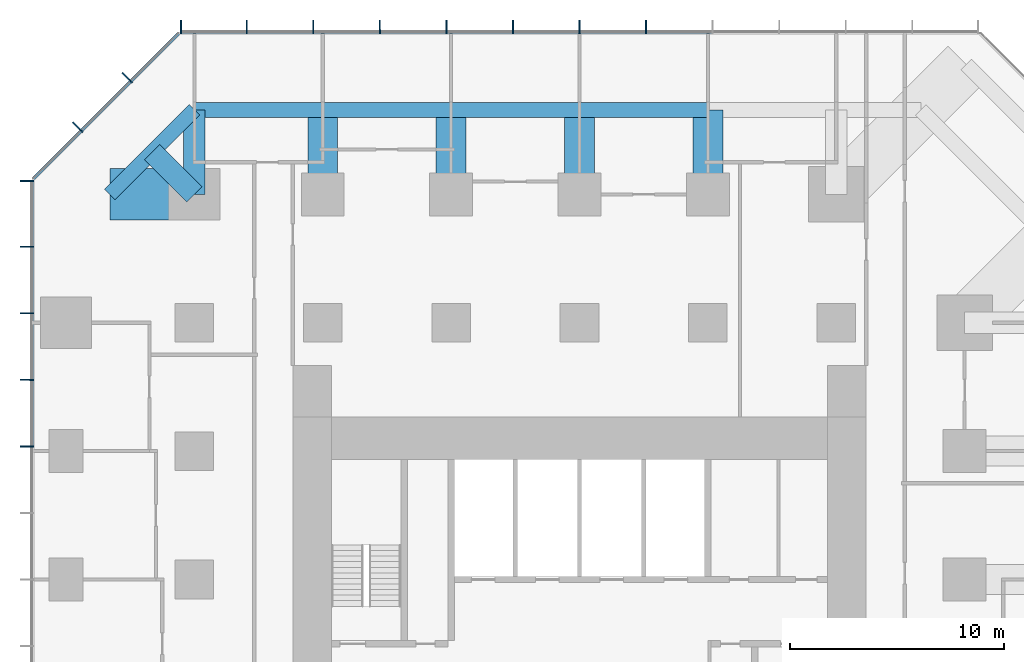
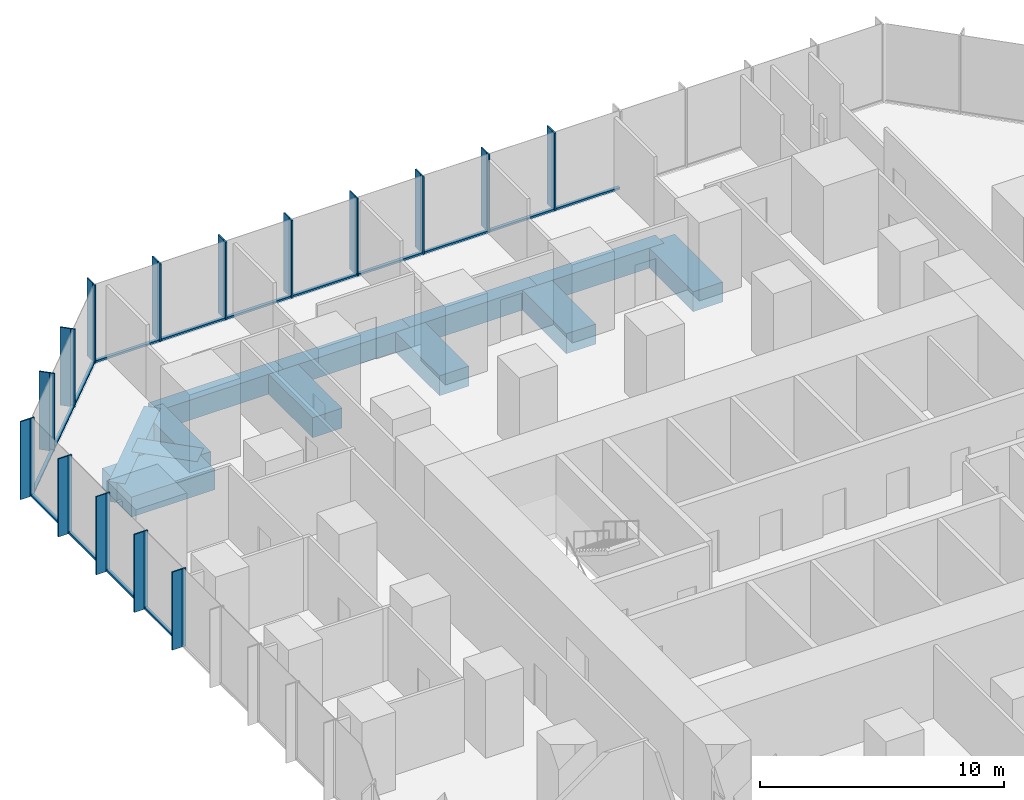
# One storey, part 5 of 12: 45 members, 12 beams, 3 elements without a shape of their own.
"""IFC4 building model written with IfcOpenShell, lengths in metres."""

from ifc_helpers import new_model, si_unit, direction, frame, origin, origin_2d, place, context, subcontext, project, spatial, rectangle, extrude, material, layer, layer_set, material_profile, profile_set, type_object, element, aggregate, save


model = new_model("IFC4")

# Units and contexts
model_context = context("Model", 3, precision=1e-05, world=origin(), true_north=direction((0.0, 1.0)))
body_context = subcontext(model_context, "Body", "Model", "MODEL_VIEW")
ifc_project = project(units=[si_unit("LENGTHUNIT", "METRE"), si_unit("AREAUNIT", "SQUARE_METRE"), si_unit("VOLUMEUNIT", "CUBIC_METRE"), si_unit("PLANEANGLEUNIT", "RADIAN"), si_unit("MASSUNIT", "GRAM", prefix="KILO")], contexts=[model_context])

# Site, building, storey
site_placement = place(None, origin())
site = spatial("IfcSite", under=ifc_project, at=site_placement, CompositionType="ELEMENT")
building_placement = place(site_placement, origin())
building = spatial("IfcBuilding", under=site, at=building_placement, Name="Highveld Stack Headquarters", CompositionType="ELEMENT")
storey_placement = place(building_placement, frame((0.0, 0.0, 80.60009765625)))
storey = spatial("IfcBuildingStorey", under=building, at=storey_placement, Name="L19", CompositionType="ELEMENT", Elevation=80.60009765625)

# Beams
ifc_material_1 = material(Name="Concrete C60/75", Category="concrete")
ifc_material_profile_1 = material_profile(ifc_material_1, rectangle(XDim=1.0, YDim=1.0, at=origin_2d()), Name="RC 1000x1000")
ifc_profile_set_1 = profile_set([ifc_material_profile_1], Name="Concrete C60/75")
beam_type_1 = type_object("IfcBeamType", Name="CANTILEVER RIB RC 1000x1000", PredefinedType="USERDEFINED", material=ifc_profile_set_1)
beam_1_placement = place(storey_placement, frame((-12.0, 24.0, -0.75), z_axis=(0.0, 1.0, 0.0), x_axis=(-1.0, 0.0, 0.0)))
element("IfcBeam", 1, at=beam_1_placement, inside=storey, type_object=beam_type_1, Name="Cantilever rib 4/J L19", ObjectType="CANTILEVER RIB", PredefinedType="USERDEFINED", context=body_context, shape_type="SweptSolid", body=[
    extrude(rectangle(XDim=1.0, YDim=1.0, at=origin_2d()), origin(), (0.0, 0.0, 1.0), 3.949951171875),
])
beam_2_placement = place(storey_placement, frame((-12.0, 24.0, -0.75), z_axis=(-0.707106781187, 0.707106781187, 0.0), x_axis=(-0.707106781187, -0.707106781187, 0.0)))
element("IfcBeam", 2, at=beam_2_placement, inside=storey, type_object=beam_type_1, Name="Cantilever rib 4/J L19", ObjectType="CANTILEVER RIB", PredefinedType="USERDEFINED", context=body_context, shape_type="SweptSolid", body=[
    extrude(rectangle(XDim=1.0, YDim=1.0, at=origin_2d()), origin(), (0.0, 0.0, 1.0), 2.793212890625),
])
ifc_material_2 = material(Name="Concrete C60/75", Category="concrete")
ifc_material_profile_2 = material_profile(ifc_material_2, rectangle(XDim=1.39990234375, YDim=1.0, at=origin_2d()), Name="RC 1400x1000")
ifc_profile_set_2 = profile_set([ifc_material_profile_2], Name="Concrete C60/75")
beam_type_2 = type_object("IfcBeamType", Name="CANTILEVER RIB RC 1400x1000", PredefinedType="USERDEFINED", material=ifc_profile_set_2)
for number, where, z_axis, x_axis, name in (
    (3, (-6.0, 24.0, -0.75), (0.0, 1.0, 0.0), (-1.0, 0.0, 0.0), "Cantilever rib 5/J L19"),
    (4, (0.0, 24.0, -0.75), (0.0, 1.0, 0.0), (-1.0, 0.0, 0.0), "Cantilever rib 6/J L19"),
    (5, (6.0, 24.0, -0.75), (0.0, 1.0, 0.0), (-1.0, 0.0, 0.0), "Cantilever rib 7/J L19"),
    (6, (12.0, 24.0, -0.75), (0.0, 1.0, 0.0), (-1.0, 0.0, 0.0), "Cantilever rib 8/J L19"),
):
    element("IfcBeam", number, at=place(storey_placement, frame(where, z_axis=z_axis, x_axis=x_axis)), inside=storey, type_object=beam_type_2, Name=name, ObjectType="CANTILEVER RIB", PredefinedType="USERDEFINED", context=body_context, shape_type="SweptSolid", body=[
        extrude(rectangle(XDim=1.39990234375, YDim=1.0, at=origin_2d()), origin(), (0.0, 0.0, 1.0), 3.949951171875),
    ])
ifc_material_3 = material(Name="Concrete C60/75", Category="concrete")
ifc_material_profile_3 = material_profile(ifc_material_3, rectangle(XDim=2.39990234375, YDim=1.0, at=origin_2d()), Name="RC 2400x1000")
ifc_profile_set_3 = profile_set([ifc_material_profile_3], Name="Concrete C60/75")
beam_type_3 = type_object("IfcBeamType", Name="CANTILEVER RIB RC 2400x1000", PredefinedType="USERDEFINED", material=ifc_profile_set_3)
beam_3_placement = place(storey_placement, frame((-12.0, 24.0, -0.75), z_axis=(-1.0, 0.0, 0.0), x_axis=(0.0, -1.0, 0.0)))
element("IfcBeam", 7, at=beam_3_placement, inside=storey, type_object=beam_type_3, Name="Cantilever rib 4/J L19", ObjectType="CANTILEVER RIB", PredefinedType="USERDEFINED", context=body_context, shape_type="SweptSolid", body=[
    extrude(rectangle(XDim=2.39990234375, YDim=1.0, at=origin_2d()), origin(), (0.0, 0.0, 1.0), 3.949951171875),
])

# Curtain wall, members
ifc_material_4 = material(Name="Aluminium bronze anodised", Category="aluminium")
ifc_layer_1 = layer(ifc_material_4, 0.199951171875)
ifc_layer_set_1 = layer_set([ifc_layer_1], Name="Aluminium bronze anodised")
curtain_wall_type_1 = type_object("IfcCurtainWallType", Name="CW1 TOWER UNITISED CURTAIN WALL", PredefinedType="NOTDEFINED", material=ifc_layer_set_1)
curtain_wall_1_placement = place(storey_placement, origin())
curtain_wall_1 = element("IfcCurtainWall", 8, at=curtain_wall_1_placement, inside=storey, type_object=curtain_wall_type_1, Name="Curtain wall CW1 L19 N", PredefinedType="NOTDEFINED")
ifc_material_5 = material(Name="Aluminium bronze anodised", Category="aluminium")
ifc_material_profile_4 = material_profile(ifc_material_5, rectangle(XDim=0.449951171875, YDim=0.06005859375, at=origin_2d()), Name="FIN 450x60")
ifc_profile_set_4 = profile_set([ifc_material_profile_4], Name="Aluminium bronze anodised")
member_type_1 = type_object("IfcMemberType", Name="CW1 BRONZE FIN 450x60", PredefinedType="USERDEFINED", material=ifc_profile_set_4)
member_1_placement = place(storey_placement, frame((9.110595703125, 31.925048828125, 0.0), z_axis=(0.0, 0.0, 1.0), x_axis=(0.0, -1.0, 0.0)))
member_1 = element("IfcMember", 9, at=member_1_placement, type_object=member_type_1, Name="CW1 fin L19 6", ObjectType="FIN", PredefinedType="USERDEFINED", context=body_context, shape_type="SweptSolid", body=[
    extrude(rectangle(XDim=0.449951171875, YDim=0.06005859375, at=origin_2d()), origin(), (0.0, 0.0, 1.0), 3.89990234375),
])
member_2_placement = place(storey_placement, frame((6.0, 31.925048828125, 0.0), z_axis=(0.0, 0.0, 1.0), x_axis=(0.0, -1.0, 0.0)))
member_2 = element("IfcMember", 10, at=member_2_placement, type_object=member_type_1, Name="CW1 fin L19 7", ObjectType="FIN", PredefinedType="USERDEFINED", context=body_context, shape_type="SweptSolid", body=[
    extrude(rectangle(XDim=0.449951171875, YDim=0.06005859375, at=origin_2d()), origin(), (0.0, 0.0, 1.0), 3.89990234375),
])
member_3_placement = place(storey_placement, frame((2.889404296875, 31.925048828125, 0.0), z_axis=(0.0, 0.0, 1.0), x_axis=(0.0, -1.0, 0.0)))
member_3 = element("IfcMember", 11, at=member_3_placement, type_object=member_type_1, Name="CW1 fin L19 8", ObjectType="FIN", PredefinedType="USERDEFINED", context=body_context, shape_type="SweptSolid", body=[
    extrude(rectangle(XDim=0.449951171875, YDim=0.06005859375, at=origin_2d()), origin(), (0.0, 0.0, 1.0), 3.89990234375),
])
member_4_placement = place(storey_placement, frame((-0.220947265625, 31.925048828125, 0.0), z_axis=(0.0, 0.0, 1.0), x_axis=(0.0, -1.0, 0.0)))
member_4 = element("IfcMember", 12, at=member_4_placement, type_object=member_type_1, Name="CW1 fin L19 9", ObjectType="FIN", PredefinedType="USERDEFINED", context=body_context, shape_type="SweptSolid", body=[
    extrude(rectangle(XDim=0.449951171875, YDim=0.06005859375, at=origin_2d()), origin(), (0.0, 0.0, 1.0), 3.89990234375),
])
member_5_placement = place(storey_placement, frame((-3.331298828125, 31.925048828125, 0.0), z_axis=(0.0, 0.0, 1.0), x_axis=(0.0, -1.0, 0.0)))
member_5 = element("IfcMember", 13, at=member_5_placement, type_object=member_type_1, Name="CW1 fin L19 10", ObjectType="FIN", PredefinedType="USERDEFINED", context=body_context, shape_type="SweptSolid", body=[
    extrude(rectangle(XDim=0.449951171875, YDim=0.06005859375, at=origin_2d()), origin(), (0.0, 0.0, 1.0), 3.89990234375),
])
member_6_placement = place(storey_placement, frame((-6.44189453125, 31.925048828125, 0.0), z_axis=(0.0, 0.0, 1.0), x_axis=(0.0, -1.0, 0.0)))
member_6 = element("IfcMember", 14, at=member_6_placement, type_object=member_type_1, Name="CW1 fin L19 11", ObjectType="FIN", PredefinedType="USERDEFINED", context=body_context, shape_type="SweptSolid", body=[
    extrude(rectangle(XDim=0.449951171875, YDim=0.06005859375, at=origin_2d()), origin(), (0.0, 0.0, 1.0), 3.89990234375),
])
member_7_placement = place(storey_placement, frame((-9.55224609375, 31.925048828125, 0.0), z_axis=(0.0, 0.0, 1.0), x_axis=(0.0, -1.0, 0.0)))
member_7 = element("IfcMember", 15, at=member_7_placement, type_object=member_type_1, Name="CW1 fin L19 12", ObjectType="FIN", PredefinedType="USERDEFINED", context=body_context, shape_type="SweptSolid", body=[
    extrude(rectangle(XDim=0.449951171875, YDim=0.06005859375, at=origin_2d()), origin(), (0.0, 0.0, 1.0), 3.89990234375),
])
member_8_placement = place(storey_placement, frame((-12.630126953125, 31.925048828125, 0.0), z_axis=(0.0, 0.0, 1.0), x_axis=(0.0, -1.0, 0.0)))
member_8 = element("IfcMember", 16, at=member_8_placement, type_object=member_type_1, Name="CW1 fin L19 13", ObjectType="FIN", PredefinedType="USERDEFINED", context=body_context, shape_type="SweptSolid", body=[
    extrude(rectangle(XDim=0.449951171875, YDim=0.06005859375, at=origin_2d()), origin(), (0.0, 0.0, 1.0), 3.89990234375),
])

curtain_wall_2_placement = place(storey_placement, origin())
curtain_wall_2 = element("IfcCurtainWall", 17, at=curtain_wall_2_placement, inside=storey, type_object=curtain_wall_type_1, Name="Curtain wall CW1 L19 W", PredefinedType="NOTDEFINED")
member_9_placement = place(storey_placement, frame((-19.925048828125, 24.630126953125, 0.0), z_axis=(0.0, 0.0, 1.0), x_axis=(1.0, 0.0, 0.0)))
member_9 = element("IfcMember", 18, at=member_9_placement, type_object=member_type_1, Name="CW1 fin L19 1", ObjectType="FIN", PredefinedType="USERDEFINED", context=body_context, shape_type="SweptSolid", body=[
    extrude(rectangle(XDim=0.449951171875, YDim=0.06005859375, at=origin_2d()), origin(), (0.0, 0.0, 1.0), 3.89990234375),
])
member_10_placement = place(storey_placement, frame((-19.925048828125, 21.55224609375, 0.0), z_axis=(0.0, 0.0, 1.0), x_axis=(1.0, 0.0, 0.0)))
member_10 = element("IfcMember", 19, at=member_10_placement, type_object=member_type_1, Name="CW1 fin L19 2", ObjectType="FIN", PredefinedType="USERDEFINED", context=body_context, shape_type="SweptSolid", body=[
    extrude(rectangle(XDim=0.449951171875, YDim=0.06005859375, at=origin_2d()), origin(), (0.0, 0.0, 1.0), 3.89990234375),
])
member_11_placement = place(storey_placement, frame((-19.925048828125, 18.44189453125, 0.0), z_axis=(0.0, 0.0, 1.0), x_axis=(1.0, 0.0, 0.0)))
member_11 = element("IfcMember", 20, at=member_11_placement, type_object=member_type_1, Name="CW1 fin L19 3", ObjectType="FIN", PredefinedType="USERDEFINED", context=body_context, shape_type="SweptSolid", body=[
    extrude(rectangle(XDim=0.449951171875, YDim=0.06005859375, at=origin_2d()), origin(), (0.0, 0.0, 1.0), 3.89990234375),
])
member_12_placement = place(storey_placement, frame((-19.925048828125, 15.331298828125, 0.0), z_axis=(0.0, 0.0, 1.0), x_axis=(1.0, 0.0, 0.0)))
member_12 = element("IfcMember", 21, at=member_12_placement, type_object=member_type_1, Name="CW1 fin L19 4", ObjectType="FIN", PredefinedType="USERDEFINED", context=body_context, shape_type="SweptSolid", body=[
    extrude(rectangle(XDim=0.449951171875, YDim=0.06005859375, at=origin_2d()), origin(), (0.0, 0.0, 1.0), 3.89990234375),
])
member_13_placement = place(storey_placement, frame((-19.925048828125, 12.220947265625, 0.0), z_axis=(0.0, 0.0, 1.0), x_axis=(1.0, 0.0, 0.0)))
member_13 = element("IfcMember", 22, at=member_13_placement, type_object=member_type_1, Name="CW1 fin L19 5", ObjectType="FIN", PredefinedType="USERDEFINED", context=body_context, shape_type="SweptSolid", body=[
    extrude(rectangle(XDim=0.449951171875, YDim=0.06005859375, at=origin_2d()), origin(), (0.0, 0.0, 1.0), 3.89990234375),
])

# Member
ifc_material_6 = material(Name="Aluminium bronze anodised", Category="aluminium")
ifc_material_profile_5 = material_profile(ifc_material_6, rectangle(XDim=0.199951171875, YDim=0.06494140625, at=origin_2d()), Name="CW1 MULLION 65x200")
ifc_profile_set_5 = profile_set([ifc_material_profile_5], Name="Aluminium bronze anodised")
member_type_2 = type_object("IfcMemberType", Name="CW1 MULLION 65x200", PredefinedType="MULLION", material=ifc_profile_set_5)
member_14_placement = place(storey_placement, frame((9.110595703125, 31.60009765625, 0.0), z_axis=(0.0, 0.0, 1.0), x_axis=(0.0, -1.0, 0.0)))
member_14 = element("IfcMember", 23, at=member_14_placement, type_object=member_type_2, Name="CW1 mullion L19 6", PredefinedType="MULLION", context=body_context, shape_type="SweptSolid", body=[
    extrude(rectangle(XDim=0.199951171875, YDim=0.06494140625, at=origin_2d()), origin(), (0.0, 0.0, 1.0), 3.89990234375),
])

member_15_placement = place(storey_placement, frame((6.0, 31.60009765625, 0.0), z_axis=(0.0, 0.0, 1.0), x_axis=(0.0, -1.0, 0.0)))
member_15 = element("IfcMember", 24, at=member_15_placement, type_object=member_type_2, Name="CW1 mullion L19 7", PredefinedType="MULLION", context=body_context, shape_type="SweptSolid", body=[
    extrude(rectangle(XDim=0.199951171875, YDim=0.06494140625, at=origin_2d()), origin(), (0.0, 0.0, 1.0), 3.89990234375),
])

member_16_placement = place(storey_placement, frame((2.889404296875, 31.60009765625, 0.0), z_axis=(0.0, 0.0, 1.0), x_axis=(0.0, -1.0, 0.0)))
member_16 = element("IfcMember", 25, at=member_16_placement, type_object=member_type_2, Name="CW1 mullion L19 8", PredefinedType="MULLION", context=body_context, shape_type="SweptSolid", body=[
    extrude(rectangle(XDim=0.199951171875, YDim=0.06494140625, at=origin_2d()), origin(), (0.0, 0.0, 1.0), 3.89990234375),
])

member_17_placement = place(storey_placement, frame((-0.220947265625, 31.60009765625, 0.0), z_axis=(0.0, 0.0, 1.0), x_axis=(0.0, -1.0, 0.0)))
member_17 = element("IfcMember", 26, at=member_17_placement, type_object=member_type_2, Name="CW1 mullion L19 9", PredefinedType="MULLION", context=body_context, shape_type="SweptSolid", body=[
    extrude(rectangle(XDim=0.199951171875, YDim=0.06494140625, at=origin_2d()), origin(), (0.0, 0.0, 1.0), 3.89990234375),
])

member_18_placement = place(storey_placement, frame((-3.331298828125, 31.60009765625, 0.0), z_axis=(0.0, 0.0, 1.0), x_axis=(0.0, -1.0, 0.0)))
member_18 = element("IfcMember", 27, at=member_18_placement, type_object=member_type_2, Name="CW1 mullion L19 10", PredefinedType="MULLION", context=body_context, shape_type="SweptSolid", body=[
    extrude(rectangle(XDim=0.199951171875, YDim=0.06494140625, at=origin_2d()), origin(), (0.0, 0.0, 1.0), 3.89990234375),
])

member_19_placement = place(storey_placement, frame((-6.44189453125, 31.60009765625, 0.0), z_axis=(0.0, 0.0, 1.0), x_axis=(0.0, -1.0, 0.0)))
member_19 = element("IfcMember", 28, at=member_19_placement, type_object=member_type_2, Name="CW1 mullion L19 11", PredefinedType="MULLION", context=body_context, shape_type="SweptSolid", body=[
    extrude(rectangle(XDim=0.199951171875, YDim=0.06494140625, at=origin_2d()), origin(), (0.0, 0.0, 1.0), 3.89990234375),
])

member_20_placement = place(storey_placement, frame((-9.55224609375, 31.60009765625, 0.0), z_axis=(0.0, 0.0, 1.0), x_axis=(0.0, -1.0, 0.0)))
member_20 = element("IfcMember", 29, at=member_20_placement, type_object=member_type_2, Name="CW1 mullion L19 12", PredefinedType="MULLION", context=body_context, shape_type="SweptSolid", body=[
    extrude(rectangle(XDim=0.199951171875, YDim=0.06494140625, at=origin_2d()), origin(), (0.0, 0.0, 1.0), 3.89990234375),
])

member_21_placement = place(storey_placement, frame((-12.630126953125, 31.60009765625, 0.0), z_axis=(0.0, 0.0, 1.0), x_axis=(0.0, -1.0, 0.0)))
member_21 = element("IfcMember", 30, at=member_21_placement, type_object=member_type_2, Name="CW1 mullion L19 13", PredefinedType="MULLION", context=body_context, shape_type="SweptSolid", body=[
    extrude(rectangle(XDim=0.199951171875, YDim=0.06494140625, at=origin_2d()), origin(), (0.0, 0.0, 1.0), 3.89990234375),
])

member_22_placement = place(storey_placement, frame((-19.60009765625, 24.630126953125, 0.0), z_axis=(0.0, 0.0, 1.0), x_axis=(1.0, 0.0, 0.0)))
member_22 = element("IfcMember", 31, at=member_22_placement, type_object=member_type_2, Name="CW1 mullion L19 1", PredefinedType="MULLION", context=body_context, shape_type="SweptSolid", body=[
    extrude(rectangle(XDim=0.199951171875, YDim=0.06494140625, at=origin_2d()), origin(), (0.0, 0.0, 1.0), 3.89990234375),
])

member_23_placement = place(storey_placement, frame((-19.60009765625, 21.55224609375, 0.0), z_axis=(0.0, 0.0, 1.0), x_axis=(1.0, 0.0, 0.0)))
member_23 = element("IfcMember", 32, at=member_23_placement, type_object=member_type_2, Name="CW1 mullion L19 2", PredefinedType="MULLION", context=body_context, shape_type="SweptSolid", body=[
    extrude(rectangle(XDim=0.199951171875, YDim=0.06494140625, at=origin_2d()), origin(), (0.0, 0.0, 1.0), 3.89990234375),
])

member_24_placement = place(storey_placement, frame((-19.60009765625, 18.44189453125, 0.0), z_axis=(0.0, 0.0, 1.0), x_axis=(1.0, 0.0, 0.0)))
member_24 = element("IfcMember", 33, at=member_24_placement, type_object=member_type_2, Name="CW1 mullion L19 3", PredefinedType="MULLION", context=body_context, shape_type="SweptSolid", body=[
    extrude(rectangle(XDim=0.199951171875, YDim=0.06494140625, at=origin_2d()), origin(), (0.0, 0.0, 1.0), 3.89990234375),
])

member_25_placement = place(storey_placement, frame((-19.60009765625, 15.331298828125, 0.0), z_axis=(0.0, 0.0, 1.0), x_axis=(1.0, 0.0, 0.0)))
member_25 = element("IfcMember", 34, at=member_25_placement, type_object=member_type_2, Name="CW1 mullion L19 4", PredefinedType="MULLION", context=body_context, shape_type="SweptSolid", body=[
    extrude(rectangle(XDim=0.199951171875, YDim=0.06494140625, at=origin_2d()), origin(), (0.0, 0.0, 1.0), 3.89990234375),
])

member_26_placement = place(storey_placement, frame((-19.60009765625, 12.220947265625, 0.0), z_axis=(0.0, 0.0, 1.0), x_axis=(1.0, 0.0, 0.0)))
member_26 = element("IfcMember", 35, at=member_26_placement, type_object=member_type_2, Name="CW1 mullion L19 5", PredefinedType="MULLION", context=body_context, shape_type="SweptSolid", body=[
    extrude(rectangle(XDim=0.199951171875, YDim=0.06494140625, at=origin_2d()), origin(), (0.0, 0.0, 1.0), 3.89990234375),
])

ifc_material_7 = material(Name="Aluminium bronze anodised", Category="aluminium")
ifc_material_profile_6 = material_profile(ifc_material_7, rectangle(XDim=0.14990234375, YDim=0.10009765625, at=origin_2d()), Name="CW1 TRANSOM 150x100")
ifc_profile_set_6 = profile_set([ifc_material_profile_6], Name="Aluminium bronze anodised")
member_type_3 = type_object("IfcMemberType", Name="CW1 STACK TRANSOM 150x100", PredefinedType="USERDEFINED", material=ifc_profile_set_6)
member_27_placement = place(storey_placement, frame((12.1884765625, 31.60009765625, 0.0498046875), z_axis=(-1.0, 0.0, 0.0), x_axis=(0.0, -1.0, 0.0)))
member_27 = element("IfcMember", 36, at=member_27_placement, type_object=member_type_3, Name="CW1 transom L19 5.1", ObjectType="TRANSOM", PredefinedType="USERDEFINED", context=body_context, shape_type="SweptSolid", body=[
    extrude(rectangle(XDim=0.14990234375, YDim=0.10009765625, at=origin_2d()), origin(), (0.0, 0.0, 1.0), 3.04541015625),
])

member_28_placement = place(storey_placement, frame((9.077880859375, 31.60009765625, 0.0498046875), z_axis=(-1.0, 0.0, 0.0), x_axis=(0.0, -1.0, 0.0)))
member_28 = element("IfcMember", 37, at=member_28_placement, type_object=member_type_3, Name="CW1 transom L19 6.1", ObjectType="TRANSOM", PredefinedType="USERDEFINED", context=body_context, shape_type="SweptSolid", body=[
    extrude(rectangle(XDim=0.14990234375, YDim=0.10009765625, at=origin_2d()), origin(), (0.0, 0.0, 1.0), 3.04541015625),
])

member_29_placement = place(storey_placement, frame((5.967529296875, 31.60009765625, 0.0498046875), z_axis=(-1.0, 0.0, 0.0), x_axis=(0.0, -1.0, 0.0)))
member_29 = element("IfcMember", 38, at=member_29_placement, type_object=member_type_3, Name="CW1 transom L19 7.1", ObjectType="TRANSOM", PredefinedType="USERDEFINED", context=body_context, shape_type="SweptSolid", body=[
    extrude(rectangle(XDim=0.14990234375, YDim=0.10009765625, at=origin_2d()), origin(), (0.0, 0.0, 1.0), 3.04541015625),
])

member_30_placement = place(storey_placement, frame((2.857177734375, 31.60009765625, 0.0498046875), z_axis=(-1.0, 0.0, 0.0), x_axis=(0.0, -1.0, 0.0)))
member_30 = element("IfcMember", 39, at=member_30_placement, type_object=member_type_3, Name="CW1 transom L19 8.1", ObjectType="TRANSOM", PredefinedType="USERDEFINED", context=body_context, shape_type="SweptSolid", body=[
    extrude(rectangle(XDim=0.14990234375, YDim=0.10009765625, at=origin_2d()), origin(), (0.0, 0.0, 1.0), 3.045654296875),
])

member_31_placement = place(storey_placement, frame((-0.25341796875, 31.60009765625, 0.0498046875), z_axis=(-1.0, 0.0, 0.0), x_axis=(0.0, -1.0, 0.0)))
member_31 = element("IfcMember", 40, at=member_31_placement, type_object=member_type_3, Name="CW1 transom L19 9.1", ObjectType="TRANSOM", PredefinedType="USERDEFINED", context=body_context, shape_type="SweptSolid", body=[
    extrude(rectangle(XDim=0.14990234375, YDim=0.10009765625, at=origin_2d()), origin(), (0.0, 0.0, 1.0), 3.04541015625),
])

member_32_placement = place(storey_placement, frame((-3.36376953125, 31.60009765625, 0.0498046875), z_axis=(-1.0, 0.0, 0.0), x_axis=(0.0, -1.0, 0.0)))
member_32 = element("IfcMember", 41, at=member_32_placement, type_object=member_type_3, Name="CW1 transom L19 10.1", ObjectType="TRANSOM", PredefinedType="USERDEFINED", context=body_context, shape_type="SweptSolid", body=[
    extrude(rectangle(XDim=0.14990234375, YDim=0.10009765625, at=origin_2d()), origin(), (0.0, 0.0, 1.0), 3.04541015625),
])

member_33_placement = place(storey_placement, frame((-6.474365234375, 31.60009765625, 0.0498046875), z_axis=(-1.0, 0.0, 0.0), x_axis=(0.0, -1.0, 0.0)))
member_33 = element("IfcMember", 42, at=member_33_placement, type_object=member_type_3, Name="CW1 transom L19 11.1", ObjectType="TRANSOM", PredefinedType="USERDEFINED", context=body_context, shape_type="SweptSolid", body=[
    extrude(rectangle(XDim=0.14990234375, YDim=0.10009765625, at=origin_2d()), origin(), (0.0, 0.0, 1.0), 3.04541015625),
])

member_34_placement = place(storey_placement, frame((-9.584716796875, 31.60009765625, 0.0498046875), z_axis=(-1.0, 0.0, 0.0), x_axis=(0.0, -1.0, 0.0)))
member_34 = element("IfcMember", 43, at=member_34_placement, type_object=member_type_3, Name="CW1 transom L19 12.1", ObjectType="TRANSOM", PredefinedType="USERDEFINED", context=body_context, shape_type="SweptSolid", body=[
    extrude(rectangle(XDim=0.14990234375, YDim=0.10009765625, at=origin_2d()), origin(), (0.0, 0.0, 1.0), 3.012939453125),
])

aggregate(curtain_wall_1, [member_14, member_1, member_15, member_2, member_16, member_3, member_17, member_4, member_18, member_5, member_19, member_6, member_20, member_7, member_21, member_8, member_27, member_28, member_29, member_30, member_31, member_32, member_33, member_34])

member_35_placement = place(storey_placement, frame((-19.60009765625, 24.59765625, 0.0498046875), z_axis=(0.0, -1.0, 0.0), x_axis=(1.0, 0.0, 0.0)))
member_35 = element("IfcMember", 44, at=member_35_placement, type_object=member_type_3, Name="CW1 transom L19 1.1", ObjectType="TRANSOM", PredefinedType="USERDEFINED", context=body_context, shape_type="SweptSolid", body=[
    extrude(rectangle(XDim=0.14990234375, YDim=0.10009765625, at=origin_2d()), origin(), (0.0, 0.0, 1.0), 3.012939453125),
])

member_36_placement = place(storey_placement, frame((-19.60009765625, 21.519775390625, 0.0498046875), z_axis=(0.0, -1.0, 0.0), x_axis=(1.0, 0.0, 0.0)))
member_36 = element("IfcMember", 45, at=member_36_placement, type_object=member_type_3, Name="CW1 transom L19 2.1", ObjectType="TRANSOM", PredefinedType="USERDEFINED", context=body_context, shape_type="SweptSolid", body=[
    extrude(rectangle(XDim=0.14990234375, YDim=0.10009765625, at=origin_2d()), origin(), (0.0, 0.0, 1.0), 3.04541015625),
])

member_37_placement = place(storey_placement, frame((-19.60009765625, 18.4091796875, 0.0498046875), z_axis=(0.0, -1.0, 0.0), x_axis=(1.0, 0.0, 0.0)))
member_37 = element("IfcMember", 46, at=member_37_placement, type_object=member_type_3, Name="CW1 transom L19 3.1", ObjectType="TRANSOM", PredefinedType="USERDEFINED", context=body_context, shape_type="SweptSolid", body=[
    extrude(rectangle(XDim=0.14990234375, YDim=0.10009765625, at=origin_2d()), origin(), (0.0, 0.0, 1.0), 3.045166015625),
])

member_38_placement = place(storey_placement, frame((-19.60009765625, 15.298828125, 0.0498046875), z_axis=(0.0, -1.0, 0.0), x_axis=(1.0, 0.0, 0.0)))
member_38 = element("IfcMember", 47, at=member_38_placement, type_object=member_type_3, Name="CW1 transom L19 4.1", ObjectType="TRANSOM", PredefinedType="USERDEFINED", context=body_context, shape_type="SweptSolid", body=[
    extrude(rectangle(XDim=0.14990234375, YDim=0.10009765625, at=origin_2d()), origin(), (0.0, 0.0, 1.0), 3.04541015625),
])

aggregate(curtain_wall_2, [member_22, member_9, member_23, member_10, member_24, member_11, member_25, member_12, member_26, member_13, member_35, member_36, member_37, member_38])

# Curtain wall, members
ifc_material_8 = material(Name="Aluminium bronze anodised", Category="aluminium")
ifc_layer_2 = layer(ifc_material_8, 0.199951171875)
ifc_layer_set_2 = layer_set([ifc_layer_2], Name="Aluminium bronze anodised")
curtain_wall_type_2 = type_object("IfcCurtainWallType", Name="CW2 TOWER CHAMFER UNITISED CURTAIN WALL", PredefinedType="NOTDEFINED", material=ifc_layer_set_2)
curtain_wall_3_placement = place(storey_placement, origin())
curtain_wall_3 = element("IfcCurtainWall", 48, at=curtain_wall_3_placement, inside=storey, type_object=curtain_wall_type_2, Name="Curtain wall CW2 L19 NW", PredefinedType="NOTDEFINED")
ifc_material_9 = material(Name="Aluminium bronze anodised", Category="aluminium")
ifc_material_profile_7 = material_profile(ifc_material_9, rectangle(XDim=0.449951171875, YDim=0.06005859375, at=origin_2d()), Name="FIN 450x60")
ifc_profile_set_7 = profile_set([ifc_material_profile_7], Name="Aluminium bronze anodised")
member_type_4 = type_object("IfcMemberType", Name="CW2 BRONZE FIN 450x60", PredefinedType="USERDEFINED", material=ifc_profile_set_7)
member_39_placement = place(storey_placement, frame((-15.204833984375, 29.517333984375, 0.0), z_axis=(0.0, 0.0, 1.0), x_axis=(0.707106781187, -0.707106781187, 0.0)))
member_39 = element("IfcMember", 49, at=member_39_placement, type_object=member_type_4, Name="CW2 fin L19 1", ObjectType="FIN", PredefinedType="USERDEFINED", context=body_context, shape_type="SweptSolid", body=[
    extrude(rectangle(XDim=0.449951171875, YDim=0.06005859375, at=origin_2d()), origin(), (0.0, 0.0, 1.0), 3.89990234375),
])
member_40_placement = place(storey_placement, frame((-17.517333984375, 27.204833984375, 0.0), z_axis=(0.0, 0.0, 1.0), x_axis=(0.707106781187, -0.707106781187, 0.0)))
member_40 = element("IfcMember", 50, at=member_40_placement, type_object=member_type_4, Name="CW2 fin L19 2", ObjectType="FIN", PredefinedType="USERDEFINED", context=body_context, shape_type="SweptSolid", body=[
    extrude(rectangle(XDim=0.449951171875, YDim=0.06005859375, at=origin_2d()), origin(), (0.0, 0.0, 1.0), 3.89990234375),
])
ifc_material_10 = material(Name="Aluminium bronze anodised", Category="aluminium")
ifc_material_profile_8 = material_profile(ifc_material_10, rectangle(XDim=0.199951171875, YDim=0.06494140625, at=origin_2d()), Name="CW2 MULLION 65x200")
ifc_profile_set_8 = profile_set([ifc_material_profile_8], Name="Aluminium bronze anodised")
member_type_5 = type_object("IfcMemberType", Name="CW2 MULLION 65x200", PredefinedType="MULLION", material=ifc_profile_set_8)
member_41_placement = place(storey_placement, frame((-14.97509765625, 29.28759765625, 0.0), z_axis=(0.0, 0.0, 1.0), x_axis=(0.707106781187, -0.707106781187, 0.0)))
member_41 = element("IfcMember", 51, at=member_41_placement, type_object=member_type_5, Name="CW2 mullion L19 1", PredefinedType="MULLION", context=body_context, shape_type="SweptSolid", body=[
    extrude(rectangle(XDim=0.199951171875, YDim=0.06494140625, at=origin_2d()), origin(), (0.0, 0.0, 1.0), 3.89990234375),
])
member_42_placement = place(storey_placement, frame((-17.28759765625, 26.97509765625, 0.0), z_axis=(0.0, 0.0, 1.0), x_axis=(0.707106781187, -0.707106781187, 0.0)))
member_42 = element("IfcMember", 52, at=member_42_placement, type_object=member_type_5, Name="CW2 mullion L19 2", PredefinedType="MULLION", context=body_context, shape_type="SweptSolid", body=[
    extrude(rectangle(XDim=0.199951171875, YDim=0.06494140625, at=origin_2d()), origin(), (0.0, 0.0, 1.0), 3.89990234375),
])
ifc_material_11 = material(Name="Aluminium bronze anodised", Category="aluminium")
ifc_material_profile_9 = material_profile(ifc_material_11, rectangle(XDim=0.14990234375, YDim=0.10009765625, at=origin_2d()), Name="CW2 TRANSOM 150x100")
ifc_profile_set_9 = profile_set([ifc_material_profile_9], Name="Aluminium bronze anodised")
member_type_6 = type_object("IfcMemberType", Name="CW2 STACK TRANSOM 150x100", PredefinedType="USERDEFINED", material=ifc_profile_set_9)
member_43_placement = place(storey_placement, frame((-12.7333984375, 31.529296875, 0.0498046875), z_axis=(-0.707106781187, -0.707106781187, 0.0), x_axis=(0.707106781187, -0.707106781187, 0.0)))
member_43 = element("IfcMember", 53, at=member_43_placement, type_object=member_type_6, Name="CW2 transom L19 1.1", ObjectType="TRANSOM", PredefinedType="USERDEFINED", context=body_context, shape_type="SweptSolid", body=[
    extrude(rectangle(XDim=0.14990234375, YDim=0.10009765625, at=origin_2d()), origin(), (0.0, 0.0, 1.0), 3.1376953125),
])
member_44_placement = place(storey_placement, frame((-14.998046875, 29.2646484375, 0.0498046875), z_axis=(-0.707106781187, -0.707106781187, 0.0), x_axis=(0.707106781187, -0.707106781187, 0.0)))
member_44 = element("IfcMember", 54, at=member_44_placement, type_object=member_type_6, Name="CW2 transom L19 2.1", ObjectType="TRANSOM", PredefinedType="USERDEFINED", context=body_context, shape_type="SweptSolid", body=[
    extrude(rectangle(XDim=0.14990234375, YDim=0.10009765625, at=origin_2d()), origin(), (0.0, 0.0, 1.0), 3.20556640625),
])
member_45_placement = place(storey_placement, frame((-17.310546875, 26.9521484375, 0.0498046875), z_axis=(-0.707106781187, -0.707106781187, 0.0), x_axis=(0.707106781187, -0.707106781187, 0.0)))
member_45 = element("IfcMember", 55, at=member_45_placement, type_object=member_type_6, Name="CW2 transom L19 3.1", ObjectType="TRANSOM", PredefinedType="USERDEFINED", context=body_context, shape_type="SweptSolid", body=[
    extrude(rectangle(XDim=0.14990234375, YDim=0.10009765625, at=origin_2d()), origin(), (0.0, 0.0, 1.0), 3.1376953125),
])
aggregate(curtain_wall_3, [member_41, member_39, member_42, member_40, member_43, member_44, member_45])

# Beams
ifc_material_12 = material(Name="Concrete C60/75", Category="concrete")
ifc_material_profile_10 = material_profile(ifc_material_12, rectangle(XDim=0.699951171875, YDim=1.0, at=origin_2d()), Name="RC 700x1000")
ifc_profile_set_10 = profile_set([ifc_material_profile_10], Name="Concrete C60/75")
beam_type_4 = type_object("IfcBeamType", Name="RIB TIP BEAM RC 700x1000", PredefinedType="SPANDREL", material=ifc_profile_set_10)
for number, where, z_axis, x_axis, name in (
    (56, (-12.0, 27.949951171875, -0.75), (1.0, 0.0, 0.0), (0.0, 1.0, 0.0), "Rib tip beam 4/J to 5/J L19"),
    (57, (-6.0, 27.949951171875, -0.75), (1.0, 0.0, 0.0), (0.0, 1.0, 0.0), "Rib tip beam 5/J to 6/J L19"),
    (58, (0.0, 27.949951171875, -0.75), (1.0, 0.0, 0.0), (0.0, 1.0, 0.0), "Rib tip beam 6/J to 7/J L19"),
    (59, (6.0, 27.949951171875, -0.75), (1.0, 0.0, 0.0), (0.0, 1.0, 0.0), "Rib tip beam 7/J to 8/J L19"),
):
    element("IfcBeam", number, at=place(storey_placement, frame(where, z_axis=z_axis, x_axis=x_axis)), inside=storey, type_object=beam_type_4, Name=name, PredefinedType="SPANDREL", context=body_context, shape_type="SweptSolid", body=[
        extrude(rectangle(XDim=0.699951171875, YDim=1.0, at=origin_2d()), origin(), (0.0, 0.0, 1.0), 6.0),
    ])
beam_4_placement = place(storey_placement, frame((-15.949951171875, 24.0, -0.75), z_axis=(0.707106781187, 0.707106781187, 0.0), x_axis=(-0.707106781187, 0.707106781187, 0.0)))
element("IfcBeam", 60, at=beam_4_placement, inside=storey, type_object=beam_type_4, Name="Rib tip beam 4/J corner L19", PredefinedType="SPANDREL", context=body_context, shape_type="SweptSolid", body=[
    extrude(rectangle(XDim=0.699951171875, YDim=1.0, at=origin_2d()), origin(), (0.0, 0.0, 1.0), 5.586181640625),
])

save(model, "model.ifc")
